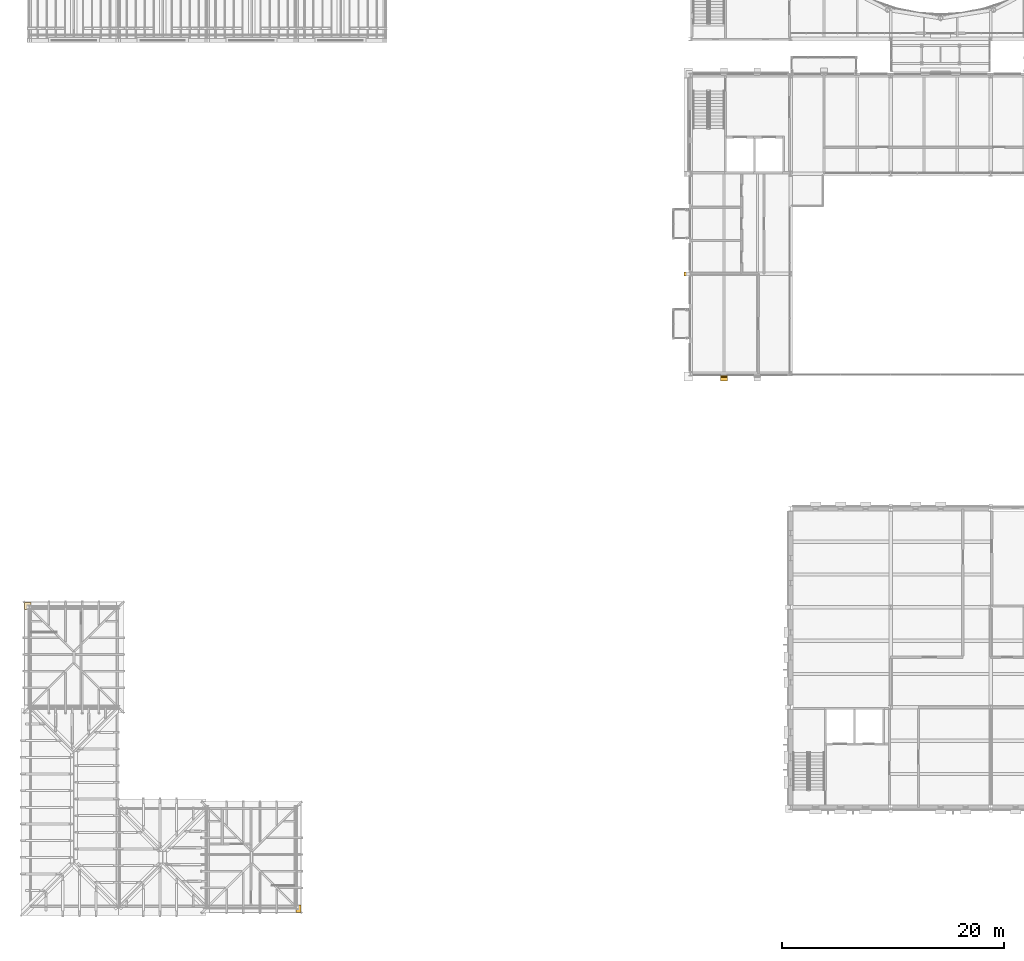
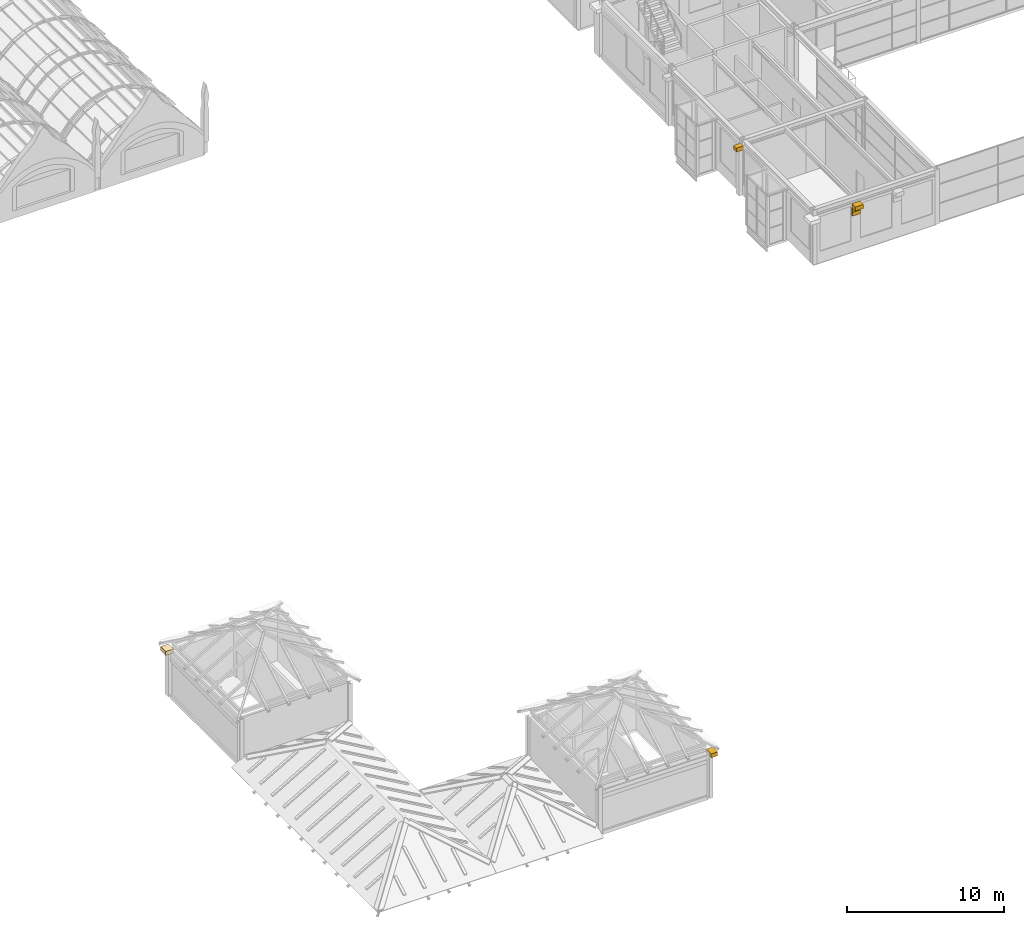
# One storey, part 108 of 111: 6 coverings.
"""IFC4 building model written with IfcOpenShell, lengths in metres."""

import ifcopenshell
import ifcopenshell.guid

model = None  # the IFC model being written
_history = None  # IfcOwnerHistory: only IFC2X3 demands one
_inside = {}  # id of a spatial element -> (the spatial element, [elements in it])
_under = {}  # id of a project, library or spatial element -> (it, [spatial elements below it])
_declared = {}  # id of a project -> (the project, [libraries it declares])
_typed = {}  # id of a type object -> (the type object, [elements of that type])
_made_of = {}  # id of a material, layer set ... -> (it, [elements and type objects made of it])


def new_model(schema):
    """Start an empty IFC model of exactly this schema.

    Asked for "IFC4X3", IfcOpenShell would pick the latest addendum, in which some entities
    have other attributes; the version numbers below select the first issue.
    IFC2X3 requires an IfcOwnerHistory on every rooted entity: one is made here for all.
    """
    global model, _history
    if schema == "IFC4X3":
        model = ifcopenshell.file(schema_version=(4, 3, 0, 0))
    else:
        model = ifcopenshell.file(schema=schema)
    _inside.clear()
    _under.clear()
    _declared.clear()
    _typed.clear()
    _made_of.clear()
    _history = None
    if model.schema == "IFC2X3":
        org = make("IfcOrganization", Name="unknown")
        user = make(
            "IfcPersonAndOrganization",
            ThePerson=make("IfcPerson", FamilyName="unknown"),
            TheOrganization=org,
        )
        app = make(
            "IfcApplication",
            ApplicationDeveloper=org,
            Version="unknown",
            ApplicationFullName="unknown",
            ApplicationIdentifier="unknown",
        )
        _history = make(
            "IfcOwnerHistory",
            OwningUser=user,
            OwningApplication=app,
            ChangeAction="ADDED",
            CreationDate=0,
        )
    return model


def make(cls, **values):
    """One entity of the class cls with the attributes given. An attribute that is None is left unset."""
    return model.create_entity(
        cls, **{name: value for name, value in values.items() if value is not None}
    )


def rooted(cls, **values):
    """An entity with a GlobalId (a new one), such as an element, a storey or a relation."""
    return make(cls, GlobalId=ifcopenshell.guid.new(), OwnerHistory=_history, **values)


def si_unit(unit_type, name, prefix=None):
    """IfcSIUnit, for example si_unit("LENGTHUNIT", "METRE", prefix="MILLI")."""
    return make("IfcSIUnit", UnitType=unit_type, Prefix=prefix, Name=name)


def assignment(units):
    """IfcUnitAssignment: the units of a project."""
    return None if units is None else make("IfcUnitAssignment", Units=units)


def point(xyz):
    """IfcCartesianPoint."""
    return None if xyz is None else make("IfcCartesianPoint", Coordinates=xyz)


def direction(xyz):
    """IfcDirection."""
    return None if xyz is None else make("IfcDirection", DirectionRatios=xyz)


def frame(location, z_axis=None, x_axis=None):
    """IfcAxis2Placement3D, a coordinate frame: its origin and axes. An axis left out is left unset."""
    return make(
        "IfcAxis2Placement3D",
        Location=point(location),
        Axis=direction(z_axis),
        RefDirection=direction(x_axis),
    )


def frame_2d(location, x_axis=None):
    """IfcAxis2Placement2D, a coordinate frame in the plane: its origin and x axis."""
    return make(
        "IfcAxis2Placement2D", Location=point(location), RefDirection=direction(x_axis)
    )


def origin():
    """The frame at (0, 0, 0) with its axes left unset."""
    return frame((0.0, 0.0, 0.0))


def origin_2d():
    """The frame at (0, 0) in the plane with its x axis left unset."""
    return frame_2d((0.0, 0.0))


def place(relative_to, where):
    """IfcLocalPlacement: puts the frame where relative to a parent placement (None: the world)."""
    return make(
        "IfcLocalPlacement", PlacementRelTo=relative_to, RelativePlacement=where
    )


def context(
    kind, dimensions, precision=None, world=None, true_north=None, identifier=None
):
    """IfcGeometricRepresentationContext, for example the 3D "Model" context."""
    return make(
        "IfcGeometricRepresentationContext",
        ContextIdentifier=identifier,
        ContextType=kind,
        CoordinateSpaceDimension=dimensions,
        Precision=precision,
        WorldCoordinateSystem=world,
        TrueNorth=true_north,
    )


def subcontext(parent, identifier, kind, view, scale=None):
    """IfcGeometricRepresentationSubContext, for example "Body" below "Model"."""
    return make(
        "IfcGeometricRepresentationSubContext",
        ContextIdentifier=identifier,
        ContextType=kind,
        ParentContext=parent,
        TargetScale=scale,
        TargetView=view,
    )


def project(units=None, contexts=None):
    """IfcProject with its units and contexts."""
    return rooted(
        "IfcProject",
        Name="project",
        RepresentationContexts=contexts,
        UnitsInContext=assignment(units),
    )


def spatial(cls, under=None, at=None, **own):
    """A site, building, storey or space (cls), placed at a placement, below another one or the project."""
    s = rooted(cls, ObjectPlacement=at, **own)
    if under is not None:
        _under.setdefault(under.id(), (under, []))[1].append(s)
    return s


def profile(cls, at=None, kind="AREA", **sizes):
    """A parametric profile (cls). Its sizes go by their IFC names, for example OverallWidth=200.0."""
    return make(cls, ProfileType=kind, Position=at, **sizes)


def rectangle(**sizes):
    """IfcRectangleProfileDef."""
    return profile("IfcRectangleProfileDef", **sizes)


def extrude(swept, where, along, depth):
    """IfcExtrudedAreaSolid: the profile swept, set in the frame where, extruded along a direction by depth."""
    return make(
        "IfcExtrudedAreaSolid",
        SweptArea=swept,
        Position=where,
        ExtrudedDirection=direction(along),
        Depth=depth,
    )


def shape(context_of_items, identifier, shape_type, items):
    """IfcShapeRepresentation: the items that make up one representation, for example the "Body"."""
    return make(
        "IfcShapeRepresentation",
        ContextOfItems=context_of_items,
        RepresentationIdentifier=identifier,
        RepresentationType=shape_type,
        Items=items,
    )


def material(Name=None, Category=None):
    """IfcMaterial."""
    return make("IfcMaterial", Name=Name, Category=Category)


def layer(
    of_material, thickness, ventilated=None, Name=None, Category=None, Priority=None
):
    """IfcMaterialLayer: one layer of a wall or slab, of a material (None: an air gap)."""
    return make(
        "IfcMaterialLayer",
        Material=of_material,
        LayerThickness=thickness,
        IsVentilated=ventilated,
        Name=Name,
        Category=Category,
        Priority=Priority,
    )


def layer_set(layers, Name=None):
    """IfcMaterialLayerSet."""
    return make("IfcMaterialLayerSet", MaterialLayers=layers, LayerSetName=Name)


def made_of(thing, what):
    """Note that an element or type object is made of a material, layer set ...; save() writes the relation."""
    if what is not None:
        _made_of.setdefault(what.id(), (what, []))[1].append(thing)
    return thing


def type_object(cls, material=None, **own):
    """A type object (cls), such as IfcWallType, which elements share."""
    return made_of(rooted(cls, **own), material)


def element(
    cls,
    number,
    at=None,
    inside=None,
    cuts=None,
    type_object=None,
    material=None,
    context=None,
    identifier="Body",
    shape_type=None,
    held_by="IfcProductDefinitionShape",
    body=None,
    shapes=None,
    **own,
):
    """One element of the class cls, such as IfcWall. Its Tag is "e" and its number.

    at: its placement. inside: the storey or other place that contains it. cuts: it is an
    opening in that element (IfcRelVoidsElement). A single representation is given by context,
    identifier, shape_type and body (its items); several are given by shapes. held_by: the class
    of the entity that holds the representations. save() writes the other relations.
    """
    e = rooted(cls, Tag="e%d" % number, ObjectPlacement=at, **own)
    if body is not None:
        shapes = [shape(context, identifier, shape_type, body)]
    if shapes is not None:
        e.Representation = make(held_by, Representations=shapes)
    if inside is not None:
        _inside.setdefault(inside.id(), (inside, []))[1].append(e)
    if cuts is not None:
        rooted(
            "IfcRelVoidsElement", RelatingBuildingElement=cuts, RelatedOpeningElement=e
        )
    if type_object is not None:
        _typed.setdefault(type_object.id(), (type_object, []))[1].append(e)
    return made_of(e, material)


def aggregate(whole, parts):
    """IfcRelAggregates: a whole, such as a stair, and the parts it consists of."""
    return rooted("IfcRelAggregates", RelatingObject=whole, RelatedObjects=parts)


def save(model, path):
    """Write the relations noted so far, then the file.

    IfcRelAggregates (storeys below a building ...), IfcRelContainedInSpatialStructure (elements
    in a storey), IfcRelDefinesByType, IfcRelAssociatesMaterial and IfcRelDeclares: one each for
    every whole, place, type object, material and project.
    """
    for whole, parts in _under.values():
        aggregate(whole, parts)
    for where, things in _inside.values():
        rooted(
            "IfcRelContainedInSpatialStructure",
            RelatedElements=things,
            RelatingStructure=where,
        )
    for kind, things in _typed.values():
        rooted("IfcRelDefinesByType", RelatedObjects=things, RelatingType=kind)
    for what, things in _made_of.values():
        rooted("IfcRelAssociatesMaterial", RelatedObjects=things, RelatingMaterial=what)
    for by, libraries in _declared.values():
        rooted("IfcRelDeclares", RelatingContext=by, RelatedDefinitions=libraries)
    model.write(path)


model = new_model("IFC4")

# Units and contexts
model_context = context("Model", 3, precision=1e-05, world=origin(), true_north=direction((0.0, 1.0)))
body_context = subcontext(model_context, "Body", "Model", "MODEL_VIEW")
ifc_project = project(units=[si_unit("LENGTHUNIT", "METRE"), si_unit("AREAUNIT", "SQUARE_METRE"), si_unit("VOLUMEUNIT", "CUBIC_METRE"), si_unit("PLANEANGLEUNIT", "RADIAN"), si_unit("MASSUNIT", "GRAM", prefix="KILO")], contexts=[model_context])

# Site, building, storey
site_placement = place(None, origin())
site = spatial("IfcSite", under=ifc_project, at=site_placement, CompositionType="ELEMENT")
building_placement = place(site_placement, origin())
building = spatial("IfcBuilding", under=site, at=building_placement, Name="Kallimachos Central Library", CompositionType="ELEMENT")
storey_placement = place(building_placement, frame((0.0, 0.0, 14.39990234375)))
storey = spatial("IfcBuildingStorey", under=building, at=storey_placement, Name="L03", CompositionType="ELEMENT", Elevation=14.39990234375)

# Coverings
ifc_material_1 = material(Name="Glazed ceramic frieze, green")
ifc_layer_1 = layer(ifc_material_1, 0.10009765625)
ifc_layer_set_1 = layer_set([ifc_layer_1], Name="Glazed ceramic frieze, green")
covering_type_1 = type_object("IfcCoveringType", Name="Glazed ceramic frieze, green", PredefinedType="CLADDING", material=ifc_layer_set_1)
covering_1_placement = place(storey_placement, frame((68.5, 56.761474609375, 3.18017578125), z_axis=(0.0, 0.0, 1.0), x_axis=(1.0, 0.0, 0.0)))
element("IfcCovering", 1, at=covering_1_placement, inside=storey, type_object=covering_type_1, Name="Glazed ceramic frieze, green -L03-024", PredefinedType="CLADDING", context=body_context, shape_type="SweptSolid", body=[
    extrude(rectangle(XDim=0.60009765625, YDim=0.10009765625, at=origin_2d()), origin(), (0.0, 0.0, 1.0), 0.300048828125),
])
ifc_material_2 = material(Name="Glazed ceramic frieze, ochre")
ifc_layer_2 = layer(ifc_material_2, 0.10009765625)
ifc_layer_set_2 = layer_set([ifc_layer_2], Name="Glazed ceramic frieze, ochre")
covering_type_2 = type_object("IfcCoveringType", Name="Glazed ceramic frieze, ochre", PredefinedType="CLADDING", material=ifc_layer_set_2)
covering_2_placement = place(storey_placement, frame((68.5, 56.761474609375, 2.8798828125), z_axis=(0.0, 0.0, 1.0), x_axis=(1.0, 0.0, 0.0)))
element("IfcCovering", 2, at=covering_2_placement, inside=storey, type_object=covering_type_2, Name="Glazed ceramic frieze, ochre -L03-024", PredefinedType="CLADDING", context=body_context, shape_type="SweptSolid", body=[
    extrude(rectangle(XDim=0.60009765625, YDim=0.10009765625, at=origin_2d()), origin(), (0.0, 0.0, 1.0), 0.300048828125),
])
ifc_material_3 = material(Name="Pentelic marble cornice", Category="masonry")
ifc_layer_3 = layer(ifc_material_3, 0.449951171875)
ifc_layer_set_3 = layer_set([ifc_layer_3], Name="Stone cornice 450")
covering_type_3 = type_object("IfcCoveringType", Name="Stone cornice 450", PredefinedType="MOLDING", material=ifc_layer_set_3)
covering_3_placement = place(storey_placement, frame((68.5, 56.58642578125, 3.5), z_axis=(0.0, 0.0, 1.0), x_axis=(1.0, 0.0, 0.0)))
element("IfcCovering", 3, at=covering_3_placement, inside=storey, type_object=covering_type_3, Name="Stone cornice 450 -L03-024", PredefinedType="MOLDING", context=body_context, shape_type="SweptSolid", body=[
    extrude(rectangle(XDim=0.60009765625, YDim=0.449951171875, at=origin_2d()), origin(), (0.0, 0.0, 1.0), 0.300048828125),
])
covering_4_placement = place(storey_placement, frame((65.17041015625, 66.0, 3.5), z_axis=(0.0, 0.0, 1.0), x_axis=(1.0, 0.0, 0.0)))
element("IfcCovering", 4, at=covering_4_placement, inside=storey, type_object=covering_type_3, Name="Stone cornice 450 -L03-020", PredefinedType="MOLDING", context=body_context, shape_type="SweptSolid", body=[
    extrude(rectangle(XDim=0.550048828125, YDim=0.376953125, at=origin_2d()), origin(), (0.0, 0.0, 1.0), 0.300048828125),
])
covering_5_placement = place(storey_placement, frame((30.219970703125, 8.875, 3.30029296875), z_axis=(0.0, 0.0, 1.0), x_axis=(1.0, 0.0, 0.0)))
element("IfcCovering", 5, at=covering_5_placement, inside=storey, type_object=covering_type_3, Name="Stone cornice 450 corner", PredefinedType="MOLDING", context=body_context, shape_type="SweptSolid", body=[
    extrude(rectangle(XDim=0.4599609375, YDim=0.64990234375, at=origin_2d()), origin(), (0.0, 0.0, 1.0), 0.300048828125),
])
covering_6_placement = place(storey_placement, frame((5.85009765625, 36.125, 3.30029296875), z_axis=(0.0, 0.0, 1.0), x_axis=(1.0, 0.0, 0.0)))
element("IfcCovering", 6, at=covering_6_placement, inside=storey, type_object=covering_type_3, Name="Stone cornice 450 corner", PredefinedType="MOLDING", context=body_context, shape_type="SweptSolid", body=[
    extrude(rectangle(XDim=0.60009765625, YDim=0.64990234375, at=origin_2d()), origin(), (0.0, 0.0, 1.0), 0.300048828125),
])

save(model, "model.ifc")
